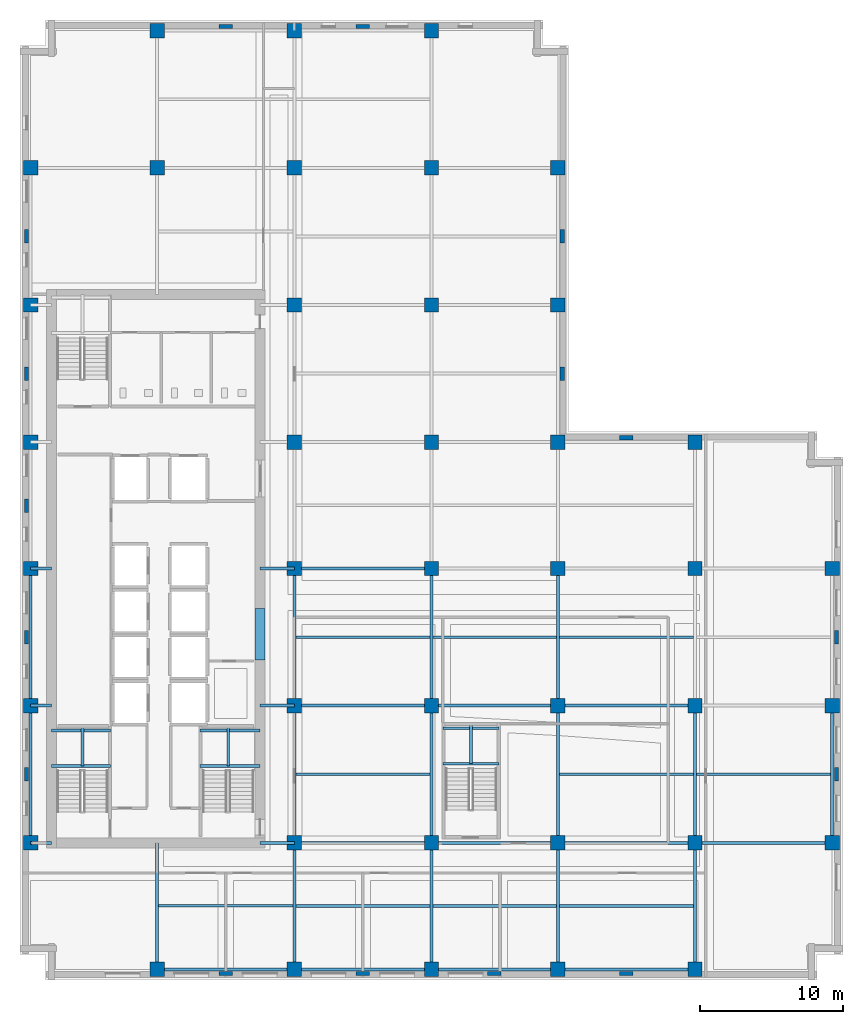
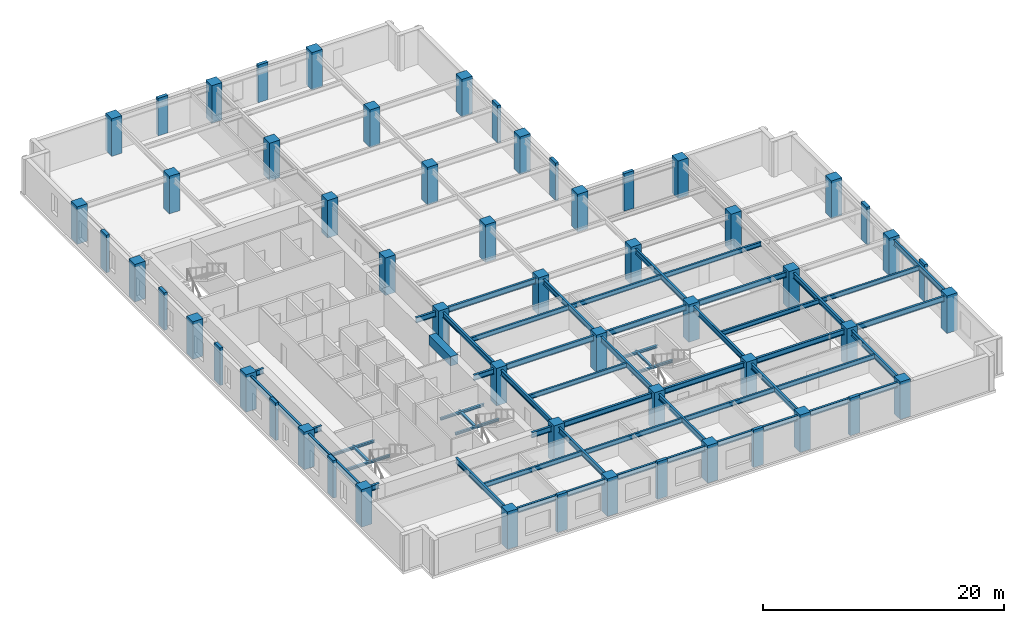
# One storey, part 1 of 11: 56 columns, 53 beams.
"""IFC4 building model written with IfcOpenShell, lengths in metres."""

from ifc_helpers import new_model, si_unit, direction, frame, origin, origin_2d, place, context, subcontext, project, spatial, rectangle, i_section, extrude, material, material_profile, profile_set, type_object, element, save


model = new_model("IFC4")

# Units and contexts
model_context = context("Model", 3, precision=1e-05, world=origin(), true_north=direction((0.0, 1.0)))
body_context = subcontext(model_context, "Body", "Model", "MODEL_VIEW")
ifc_project = project(units=[si_unit("LENGTHUNIT", "METRE"), si_unit("AREAUNIT", "SQUARE_METRE"), si_unit("VOLUMEUNIT", "CUBIC_METRE"), si_unit("PLANEANGLEUNIT", "RADIAN"), si_unit("MASSUNIT", "GRAM", prefix="KILO")], contexts=[model_context])

# Site, building, storey
site_placement = place(None, origin())
site = spatial("IfcSite", under=ifc_project, at=site_placement, CompositionType="ELEMENT")
building_placement = place(site_placement, origin())
building = spatial("IfcBuilding", under=site, at=building_placement, Name="Norrvale University Quadrangle", CompositionType="ELEMENT")
storey_placement = place(building_placement, frame((0.0, 0.0, 124.199951171875)))
storey = spatial("IfcBuildingStorey", under=building, at=storey_placement, Name="L31", CompositionType="ELEMENT", Elevation=124.199951171875)

# Columns
ifc_material_1 = material(Name="Red Manganese Brick Concrete C60/75", Category="concrete")
ifc_material_profile_1 = material_profile(ifc_material_1, rectangle(XDim=0.949951171875, YDim=0.300048828125, at=origin_2d()), Name="Red Manganese Brick Concrete C60/75")
ifc_profile_set_1 = profile_set([ifc_material_profile_1], Name="Red Manganese Brick Concrete C60/75")
column_type_1 = type_object("IfcColumnType", Name="Column Brick Pier 950x300", PredefinedType="PILASTER", material=ifc_profile_set_1)
for number, where, z_axis, x_axis, name in (
    (1, (0.449951171875, 14.39990234375, 0.0), (0.0, 0.0, 1.0), (0.0, 1.0, 0.0), "Exterior Brick Facade Pilaster L31-01"),
    (2, (0.449951171875, 24.0, 0.0), (0.0, 0.0, 1.0), (0.0, 1.0, 0.0), "Exterior Brick Facade Pilaster L31-02"),
    (3, (0.449951171875, 33.199951171875, 0.0), (0.0, 0.0, 1.0), (0.0, 1.0, 0.0), "Exterior Brick Facade Pilaster L31-03"),
    (4, (0.449951171875, 42.449951171875, 0.0), (0.0, 0.0, 1.0), (0.0, 1.0, 0.0), "Exterior Brick Facade Pilaster L31-04"),
    (5, (0.449951171875, 52.050048828125, 0.0), (0.0, 0.0, 1.0), (0.0, 1.0, 0.0), "Exterior Brick Facade Pilaster L31-05"),
    (6, (14.39990234375, 0.449951171875, 0.0), (0.0, 0.0, 1.0), (1.0, 0.0, 0.0), "Exterior Brick Facade Pilaster L31-06"),
    (7, (24.0, 0.449951171875, 0.0), (0.0, 0.0, 1.0), (1.0, 0.0, 0.0), "Exterior Brick Facade Pilaster L31-07"),
    (8, (33.199951171875, 0.449951171875, 0.0), (0.0, 0.0, 1.0), (1.0, 0.0, 0.0), "Exterior Brick Facade Pilaster L31-08"),
    (9, (42.449951171875, 0.449951171875, 0.0), (0.0, 0.0, 1.0), (1.0, 0.0, 0.0), "Exterior Brick Facade Pilaster L31-09"),
    (10, (57.14990234375, 14.39990234375, 0.0), (0.0, 0.0, 1.0), (0.0, 1.0, 0.0), "Exterior Brick Facade Pilaster L31-10"),
    (11, (57.14990234375, 24.0, 0.0), (0.0, 0.0, 1.0), (0.0, 1.0, 0.0), "Exterior Brick Facade Pilaster L31-11"),
    (12, (14.39990234375, 66.75, 0.0), (0.0, 0.0, 1.0), (1.0, 0.0, 0.0), "Exterior Brick Facade Pilaster L31-12"),
    (13, (24.0, 66.75, 0.0), (0.0, 0.0, 1.0), (1.0, 0.0, 0.0), "Exterior Brick Facade Pilaster L31-13"),
    (14, (37.949951171875, 42.449951171875, 0.0), (0.0, 0.0, 1.0), (0.0, 1.0, 0.0), "Exterior Brick Facade Pilaster L31-14"),
    (15, (37.949951171875, 52.050048828125, 0.0), (0.0, 0.0, 1.0), (0.0, 1.0, 0.0), "Exterior Brick Facade Pilaster L31-15"),
    (16, (42.449951171875, 37.949951171875, 0.0), (0.0, 0.0, 1.0), (1.0, 0.0, 0.0), "Exterior Brick Facade Pilaster L31-16"),
):
    element("IfcColumn", number, at=place(storey_placement, frame(where, z_axis=z_axis, x_axis=x_axis)), inside=storey, type_object=column_type_1, Name=name, PredefinedType="PILASTER", context=body_context, shape_type="SweptSolid", body=[
        extrude(rectangle(XDim=0.949951171875, YDim=0.300048828125, at=origin_2d()), origin(), (0.0, 0.0, 1.0), 3.800048828125),
    ])
ifc_material_2 = material(Name="Concrete C60/75", Category="concrete")
ifc_material_profile_2 = material_profile(ifc_material_2, rectangle(XDim=1.0, YDim=1.0, at=origin_2d()), Name="Concrete C60/75")
ifc_profile_set_2 = profile_set([ifc_material_profile_2], Name="Concrete C60/75")
column_type_2 = type_object("IfcColumnType", Name="Column Tower Z2 1000x1000", PredefinedType="COLUMN", material=ifc_profile_set_2)
for number, where, z_axis, x_axis, name in (
    (17, (0.75, 9.60009765625, 0.0), (0.0, 0.0, 1.0), (1.0, 0.0, 0.0), "Tower Column L31-T01"),
    (18, (0.75, 19.199951171875, 0.0), (0.0, 0.0, 1.0), (1.0, 0.0, 0.0), "Tower Column L31-T02"),
    (19, (0.75, 28.800048828125, 0.0), (0.0, 0.0, 1.0), (1.0, 0.0, 0.0), "Tower Column L31-T03"),
    (20, (0.75, 37.64990234375, 0.0), (0.0, 0.0, 1.0), (1.0, 0.0, 0.0), "Tower Column L31-T04"),
    (21, (0.75, 47.25, 0.0), (0.0, 0.0, 1.0), (1.0, 0.0, 0.0), "Tower Column L31-T05"),
    (22, (0.75, 56.85009765625, 0.0), (0.0, 0.0, 1.0), (1.0, 0.0, 0.0), "Tower Column L31-T06"),
    (23, (9.60009765625, 0.75, 0.0), (0.0, 0.0, 1.0), (1.0, 0.0, 0.0), "Tower Column L31-T07"),
    (24, (9.60009765625, 56.85009765625, 0.0), (0.0, 0.0, 1.0), (1.0, 0.0, 0.0), "Tower Column L31-T08"),
    (25, (9.60009765625, 66.449951171875, 0.0), (0.0, 0.0, 1.0), (1.0, 0.0, 0.0), "Tower Column L31-T09"),
    (26, (19.199951171875, 0.75, 0.0), (0.0, 0.0, 1.0), (1.0, 0.0, 0.0), "Tower Column L31-T10"),
    (27, (19.199951171875, 9.60009765625, 0.0), (0.0, 0.0, 1.0), (1.0, 0.0, 0.0), "Tower Column L31-T11"),
    (28, (19.199951171875, 19.199951171875, 0.0), (0.0, 0.0, 1.0), (1.0, 0.0, 0.0), "Tower Column L31-T12"),
    (29, (19.199951171875, 28.800048828125, 0.0), (0.0, 0.0, 1.0), (1.0, 0.0, 0.0), "Tower Column L31-T13"),
    (30, (19.199951171875, 37.64990234375, 0.0), (0.0, 0.0, 1.0), (1.0, 0.0, 0.0), "Tower Column L31-T14"),
    (31, (19.199951171875, 47.25, 0.0), (0.0, 0.0, 1.0), (1.0, 0.0, 0.0), "Tower Column L31-T15"),
    (32, (19.199951171875, 56.85009765625, 0.0), (0.0, 0.0, 1.0), (1.0, 0.0, 0.0), "Tower Column L31-T16"),
    (33, (19.199951171875, 66.449951171875, 0.0), (0.0, 0.0, 1.0), (1.0, 0.0, 0.0), "Tower Column L31-T17"),
    (34, (28.800048828125, 0.75, 0.0), (0.0, 0.0, 1.0), (1.0, 0.0, 0.0), "Tower Column L31-T18"),
    (35, (28.800048828125, 9.60009765625, 0.0), (0.0, 0.0, 1.0), (1.0, 0.0, 0.0), "Tower Column L31-T19"),
    (36, (28.800048828125, 19.199951171875, 0.0), (0.0, 0.0, 1.0), (1.0, 0.0, 0.0), "Tower Column L31-T20"),
    (37, (28.800048828125, 28.800048828125, 0.0), (0.0, 0.0, 1.0), (1.0, 0.0, 0.0), "Tower Column L31-T21"),
    (38, (28.800048828125, 37.64990234375, 0.0), (0.0, 0.0, 1.0), (1.0, 0.0, 0.0), "Tower Column L31-T22"),
    (39, (28.800048828125, 47.25, 0.0), (0.0, 0.0, 1.0), (1.0, 0.0, 0.0), "Tower Column L31-T23"),
    (40, (28.800048828125, 56.85009765625, 0.0), (0.0, 0.0, 1.0), (1.0, 0.0, 0.0), "Tower Column L31-T24"),
    (41, (28.800048828125, 66.449951171875, 0.0), (0.0, 0.0, 1.0), (1.0, 0.0, 0.0), "Tower Column L31-T25"),
    (42, (37.64990234375, 0.75, 0.0), (0.0, 0.0, 1.0), (1.0, 0.0, 0.0), "Tower Column L31-T26"),
    (43, (37.64990234375, 9.60009765625, 0.0), (0.0, 0.0, 1.0), (1.0, 0.0, 0.0), "Tower Column L31-T27"),
    (44, (37.64990234375, 19.199951171875, 0.0), (0.0, 0.0, 1.0), (1.0, 0.0, 0.0), "Tower Column L31-T28"),
    (45, (37.64990234375, 28.800048828125, 0.0), (0.0, 0.0, 1.0), (1.0, 0.0, 0.0), "Tower Column L31-T29"),
    (46, (37.64990234375, 37.64990234375, 0.0), (0.0, 0.0, 1.0), (1.0, 0.0, 0.0), "Tower Column L31-T30"),
    (47, (37.64990234375, 47.25, 0.0), (0.0, 0.0, 1.0), (1.0, 0.0, 0.0), "Tower Column L31-T31"),
    (48, (37.64990234375, 56.85009765625, 0.0), (0.0, 0.0, 1.0), (1.0, 0.0, 0.0), "Tower Column L31-T32"),
    (49, (47.25, 0.75, 0.0), (0.0, 0.0, 1.0), (1.0, 0.0, 0.0), "Tower Column L31-T33"),
    (50, (47.25, 9.60009765625, 0.0), (0.0, 0.0, 1.0), (1.0, 0.0, 0.0), "Tower Column L31-T34"),
    (51, (47.25, 19.199951171875, 0.0), (0.0, 0.0, 1.0), (1.0, 0.0, 0.0), "Tower Column L31-T35"),
    (52, (47.25, 28.800048828125, 0.0), (0.0, 0.0, 1.0), (1.0, 0.0, 0.0), "Tower Column L31-T36"),
    (53, (47.25, 37.64990234375, 0.0), (0.0, 0.0, 1.0), (1.0, 0.0, 0.0), "Tower Column L31-T37"),
    (54, (56.85009765625, 9.60009765625, 0.0), (0.0, 0.0, 1.0), (1.0, 0.0, 0.0), "Tower Column L31-T38"),
    (55, (56.85009765625, 19.199951171875, 0.0), (0.0, 0.0, 1.0), (1.0, 0.0, 0.0), "Tower Column L31-T39"),
    (56, (56.85009765625, 28.800048828125, 0.0), (0.0, 0.0, 1.0), (1.0, 0.0, 0.0), "Tower Column L31-T40"),
):
    element("IfcColumn", number, at=place(storey_placement, frame(where, z_axis=z_axis, x_axis=x_axis)), inside=storey, type_object=column_type_2, Name=name, PredefinedType="COLUMN", context=body_context, shape_type="SweptSolid", body=[
        extrude(rectangle(XDim=1.0, YDim=1.0, at=origin_2d()), origin(), (0.0, 0.0, 1.0), 3.800048828125),
    ])

# Beams
ifc_material_3 = material(Name="Concrete C80/95", Category="concrete")
ifc_material_profile_3 = material_profile(ifc_material_3, rectangle(XDim=0.699951171875, YDim=0.949951171875, at=origin_2d()), Name="Concrete C80/95")
ifc_profile_set_3 = profile_set([ifc_material_profile_3], Name="Concrete C80/95")
beam_type_1 = type_object("IfcBeamType", Name="Beam Core Link 700x950", PredefinedType="LINTEL", material=ifc_profile_set_3)
beam_1_placement = place(storey_placement, frame((16.800048828125, 22.39990234375, 3.06494140625), z_axis=(0.0, 1.0, 0.0), x_axis=(-1.0, 0.0, 0.0)))
element("IfcBeam", 57, at=beam_1_placement, inside=storey, type_object=beam_type_1, Name="Core Coupling Lintel Beam L31-1", PredefinedType="LINTEL", context=body_context, shape_type="SweptSolid", body=[
    extrude(rectangle(XDim=0.699951171875, YDim=0.949951171875, at=origin_2d()), origin(), (0.0, 0.0, 1.0), 3.60009765625),
])
ifc_material_4 = material(Name="Steel 350W", Category="steel")
ifc_material_profile_4 = material_profile(ifc_material_4, i_section(OverallWidth=0.18994140625, OverallDepth=0.45703125, WebThickness=0.009033203125, FlangeThickness=0.014404296875, FilletRadius=0.012939453125, at=origin_2d()), Name="Steel 350W")
ifc_profile_set_4 = profile_set([ifc_material_profile_4], Name="Steel 350W")
beam_type_2 = type_object("IfcBeamType", Name="Beam Floor W460x74", PredefinedType="JOIST", material=ifc_profile_set_4)
for number, where, z_axis, x_axis, name in (
    (58, (19.305908203125, 5.175048828125, 3.3115234375), (1.0, 0.0, 0.0), (0.0, 1.0, 0.0), "Beam Floor W460x74 BM-L31-J071"),
    (59, (19.305908203125, 14.39990234375, 3.3115234375), (1.0, 0.0, 0.0), (0.0, 1.0, 0.0), "Beam Floor W460x74 BM-L31-J072"),
    (60, (19.305908203125, 24.0, 3.3115234375), (1.0, 0.0, 0.0), (0.0, 1.0, 0.0), "Beam Floor W460x74 BM-L31-J073"),
):
    element("IfcBeam", number, at=place(storey_placement, frame(where, z_axis=z_axis, x_axis=x_axis)), inside=storey, type_object=beam_type_2, Name=name, PredefinedType="JOIST", context=body_context, shape_type="SweptSolid", body=[
        extrude(i_section(OverallWidth=0.18994140625, OverallDepth=0.45703125, WebThickness=0.009033203125, FlangeThickness=0.014404296875, FilletRadius=0.012939453125, at=origin_2d()), origin(), (0.0, 0.0, 1.0), 9.38818359375),
    ])
for number, where, z_axis, x_axis, name in (
    (61, (28.906005859375, 5.175048828125, 3.3115234375), (1.0, 0.0, 0.0), (0.0, 1.0, 0.0), "Beam Floor W460x74 BM-L31-J078"),
    (62, (28.906005859375, 24.0, 3.3115234375), (1.0, 0.0, 0.0), (0.0, 1.0, 0.0), "Beam Floor W460x74 BM-L31-J079"),
):
    element("IfcBeam", number, at=place(storey_placement, frame(where, z_axis=z_axis, x_axis=x_axis)), inside=storey, type_object=beam_type_2, Name=name, PredefinedType="JOIST", context=body_context, shape_type="SweptSolid", body=[
        extrude(i_section(OverallWidth=0.18994140625, OverallDepth=0.45703125, WebThickness=0.009033203125, FlangeThickness=0.014404296875, FilletRadius=0.012939453125, at=origin_2d()), origin(), (0.0, 0.0, 1.0), 8.637939453125),
    ])
for number, where, z_axis, x_axis, name in (
    (63, (37.756103515625, 5.175048828125, 3.3115234375), (1.0, 0.0, 0.0), (0.0, 1.0, 0.0), "Beam Floor W460x74 BM-L31-J083"),
    (64, (37.756103515625, 14.39990234375, 3.3115234375), (1.0, 0.0, 0.0), (0.0, 1.0, 0.0), "Beam Floor W460x74 BM-L31-J084"),
    (65, (37.756103515625, 24.0, 3.3115234375), (1.0, 0.0, 0.0), (0.0, 1.0, 0.0), "Beam Floor W460x74 BM-L31-J085"),
    (66, (47.35595703125, 14.39990234375, 3.3115234375), (1.0, 0.0, 0.0), (0.0, 1.0, 0.0), "Beam Floor W460x74 BM-L31-J087"),
    (67, (9.7060546875, 5.199951171875, 3.3115234375), (1.0, 0.0, 0.0), (0.0, 1.0, 0.0), "Beam Floor W460x74 BM-L31-JCS090"),
):
    element("IfcBeam", number, at=place(storey_placement, frame(where, z_axis=z_axis, x_axis=x_axis)), inside=storey, type_object=beam_type_2, Name=name, PredefinedType="JOIST", context=body_context, shape_type="SweptSolid", body=[
        extrude(i_section(OverallWidth=0.18994140625, OverallDepth=0.45703125, WebThickness=0.009033203125, FlangeThickness=0.014404296875, FilletRadius=0.012939453125, at=origin_2d()), origin(), (0.0, 0.0, 1.0), 9.387939453125),
    ])
ifc_material_profile_5 = material_profile(ifc_material_4, i_section(OverallWidth=0.2119140625, OverallDepth=0.5439453125, WebThickness=0.01318359375, FlangeThickness=0.021240234375, FilletRadius=0.013916015625, at=origin_2d()), Name="Steel 350W")
ifc_profile_set_5 = profile_set([ifc_material_profile_5], Name="Steel 350W")
beam_type_3 = type_object("IfcBeamType", Name="Beam Floor W530x123", PredefinedType="BEAM", material=ifc_profile_set_5)
beam_2_placement = place(storey_placement, frame((9.60009765625, 0.75, 3.26806640625), z_axis=(1.0, 0.0, 0.0), x_axis=(0.0, 1.0, 0.0)))
element("IfcBeam", 68, at=beam_2_placement, inside=storey, type_object=beam_type_3, Name="Beam Floor W530x123 BM-L31-GX001", PredefinedType="BEAM", context=body_context, shape_type="SweptSolid", body=[
    extrude(i_section(OverallWidth=0.2119140625, OverallDepth=0.5439453125, WebThickness=0.01318359375, FlangeThickness=0.021240234375, FilletRadius=0.013916015625, at=origin_2d()), origin(), (0.0, 0.0, 1.0), 9.599853515625),
])
beam_3_placement = place(storey_placement, frame((19.199951171875, 0.75, 3.26806640625), z_axis=(1.0, 0.0, 0.0), x_axis=(0.0, 1.0, 0.0)))
element("IfcBeam", 69, at=beam_3_placement, inside=storey, type_object=beam_type_3, Name="Beam Floor W530x123 BM-L31-GX002", PredefinedType="BEAM", context=body_context, shape_type="SweptSolid", body=[
    extrude(i_section(OverallWidth=0.2119140625, OverallDepth=0.5439453125, WebThickness=0.01318359375, FlangeThickness=0.021240234375, FilletRadius=0.013916015625, at=origin_2d()), origin(), (0.0, 0.0, 1.0), 9.60009765625),
])
beam_4_placement = place(storey_placement, frame((28.800048828125, 0.75, 3.26806640625), z_axis=(1.0, 0.0, 0.0), x_axis=(0.0, 1.0, 0.0)))
element("IfcBeam", 70, at=beam_4_placement, inside=storey, type_object=beam_type_3, Name="Beam Floor W530x123 BM-L31-GX003", PredefinedType="BEAM", context=body_context, shape_type="SweptSolid", body=[
    extrude(i_section(OverallWidth=0.2119140625, OverallDepth=0.5439453125, WebThickness=0.01318359375, FlangeThickness=0.021240234375, FilletRadius=0.013916015625, at=origin_2d()), origin(), (0.0, 0.0, 1.0), 8.849853515625),
])
for number, where, z_axis, x_axis, name in (
    (71, (37.64990234375, 0.75, 3.26806640625), (1.0, 0.0, 0.0), (0.0, 1.0, 0.0), "Beam Floor W530x123 BM-L31-GX004"),
    (72, (19.199951171875, 9.60009765625, 3.26806640625), (1.0, 0.0, 0.0), (0.0, 1.0, 0.0), "Beam Floor W530x123 BM-L31-GX005"),
):
    element("IfcBeam", number, at=place(storey_placement, frame(where, z_axis=z_axis, x_axis=x_axis)), inside=storey, type_object=beam_type_3, Name=name, PredefinedType="BEAM", context=body_context, shape_type="SweptSolid", body=[
        extrude(i_section(OverallWidth=0.2119140625, OverallDepth=0.5439453125, WebThickness=0.01318359375, FlangeThickness=0.021240234375, FilletRadius=0.013916015625, at=origin_2d()), origin(), (0.0, 0.0, 1.0), 9.60009765625),
    ])
beam_5_placement = place(storey_placement, frame((28.800048828125, 9.60009765625, 3.26806640625), z_axis=(1.0, 0.0, 0.0), x_axis=(0.0, 1.0, 0.0)))
element("IfcBeam", 73, at=beam_5_placement, inside=storey, type_object=beam_type_3, Name="Beam Floor W530x123 BM-L31-GX006", PredefinedType="BEAM", context=body_context, shape_type="SweptSolid", body=[
    extrude(i_section(OverallWidth=0.2119140625, OverallDepth=0.5439453125, WebThickness=0.01318359375, FlangeThickness=0.021240234375, FilletRadius=0.013916015625, at=origin_2d()), origin(), (0.0, 0.0, 1.0), 8.849853515625),
])
for number, where, z_axis, x_axis, name in (
    (74, (37.64990234375, 9.60009765625, 3.26806640625), (1.0, 0.0, 0.0), (0.0, 1.0, 0.0), "Beam Floor W530x123 BM-L31-GX007"),
    (75, (47.25, 9.60009765625, 3.26806640625), (1.0, 0.0, 0.0), (0.0, 1.0, 0.0), "Beam Floor W530x123 BM-L31-GX008"),
    (76, (19.199951171875, 19.199951171875, 3.26806640625), (1.0, 0.0, 0.0), (0.0, 1.0, 0.0), "Beam Floor W530x123 BM-L31-GX009"),
):
    element("IfcBeam", number, at=place(storey_placement, frame(where, z_axis=z_axis, x_axis=x_axis)), inside=storey, type_object=beam_type_3, Name=name, PredefinedType="BEAM", context=body_context, shape_type="SweptSolid", body=[
        extrude(i_section(OverallWidth=0.2119140625, OverallDepth=0.5439453125, WebThickness=0.01318359375, FlangeThickness=0.021240234375, FilletRadius=0.013916015625, at=origin_2d()), origin(), (0.0, 0.0, 1.0), 9.60009765625),
    ])
beam_6_placement = place(storey_placement, frame((28.800048828125, 19.199951171875, 3.26806640625), z_axis=(1.0, 0.0, 0.0), x_axis=(0.0, 1.0, 0.0)))
element("IfcBeam", 77, at=beam_6_placement, inside=storey, type_object=beam_type_3, Name="Beam Floor W530x123 BM-L31-GX010", PredefinedType="BEAM", context=body_context, shape_type="SweptSolid", body=[
    extrude(i_section(OverallWidth=0.2119140625, OverallDepth=0.5439453125, WebThickness=0.01318359375, FlangeThickness=0.021240234375, FilletRadius=0.013916015625, at=origin_2d()), origin(), (0.0, 0.0, 1.0), 8.849853515625),
])
for number, where, z_axis, x_axis, name in (
    (78, (37.64990234375, 19.199951171875, 3.26806640625), (1.0, 0.0, 0.0), (0.0, 1.0, 0.0), "Beam Floor W530x123 BM-L31-GX011"),
    (79, (19.199951171875, 28.800048828125, 3.26806640625), (1.0, 0.0, 0.0), (0.0, 1.0, 0.0), "Beam Floor W530x123 BM-L31-GX013"),
):
    element("IfcBeam", number, at=place(storey_placement, frame(where, z_axis=z_axis, x_axis=x_axis)), inside=storey, type_object=beam_type_3, Name=name, PredefinedType="BEAM", context=body_context, shape_type="SweptSolid", body=[
        extrude(i_section(OverallWidth=0.2119140625, OverallDepth=0.5439453125, WebThickness=0.01318359375, FlangeThickness=0.021240234375, FilletRadius=0.013916015625, at=origin_2d()), origin(), (0.0, 0.0, 1.0), 9.60009765625),
    ])
beam_7_placement = place(storey_placement, frame((0.75, 9.60009765625, 3.26806640625), z_axis=(0.0, 1.0, 0.0), x_axis=(-1.0, 0.0, 0.0)))
element("IfcBeam", 80, at=beam_7_placement, inside=storey, type_object=beam_type_3, Name="Beam Floor W530x123 BM-L31-GY028", PredefinedType="BEAM", context=body_context, shape_type="SweptSolid", body=[
    extrude(i_section(OverallWidth=0.2119140625, OverallDepth=0.5439453125, WebThickness=0.01318359375, FlangeThickness=0.021240234375, FilletRadius=0.013916015625, at=origin_2d()), origin(), (0.0, 0.0, 1.0), 9.599853515625),
])
beam_8_placement = place(storey_placement, frame((0.75, 19.199951171875, 3.26806640625), z_axis=(0.0, 1.0, 0.0), x_axis=(-1.0, 0.0, 0.0)))
element("IfcBeam", 81, at=beam_8_placement, inside=storey, type_object=beam_type_3, Name="Beam Floor W530x123 BM-L31-GY029", PredefinedType="BEAM", context=body_context, shape_type="SweptSolid", body=[
    extrude(i_section(OverallWidth=0.2119140625, OverallDepth=0.5439453125, WebThickness=0.01318359375, FlangeThickness=0.021240234375, FilletRadius=0.013916015625, at=origin_2d()), origin(), (0.0, 0.0, 1.0), 9.60009765625),
])
beam_9_placement = place(storey_placement, frame((19.199951171875, 0.75, 3.26806640625), z_axis=(0.0, 1.0, 0.0), x_axis=(-1.0, 0.0, 0.0)))
element("IfcBeam", 82, at=beam_9_placement, inside=storey, type_object=beam_type_3, Name="Beam Floor W530x123 BM-L31-GY034", PredefinedType="BEAM", context=body_context, shape_type="SweptSolid", body=[
    extrude(i_section(OverallWidth=0.2119140625, OverallDepth=0.5439453125, WebThickness=0.01318359375, FlangeThickness=0.021240234375, FilletRadius=0.013916015625, at=origin_2d()), origin(), (0.0, 0.0, 1.0), 8.85009765625),
])
beam_10_placement = place(storey_placement, frame((19.199951171875, 9.60009765625, 3.26806640625), z_axis=(0.0, 1.0, 0.0), x_axis=(-1.0, 0.0, 0.0)))
element("IfcBeam", 83, at=beam_10_placement, inside=storey, type_object=beam_type_3, Name="Beam Floor W530x123 BM-L31-GY035", PredefinedType="BEAM", context=body_context, shape_type="SweptSolid", body=[
    extrude(i_section(OverallWidth=0.2119140625, OverallDepth=0.5439453125, WebThickness=0.01318359375, FlangeThickness=0.021240234375, FilletRadius=0.013916015625, at=origin_2d()), origin(), (0.0, 0.0, 1.0), 9.599853515625),
])
beam_11_placement = place(storey_placement, frame((19.199951171875, 19.199951171875, 3.26806640625), z_axis=(0.0, 1.0, 0.0), x_axis=(-1.0, 0.0, 0.0)))
element("IfcBeam", 84, at=beam_11_placement, inside=storey, type_object=beam_type_3, Name="Beam Floor W530x123 BM-L31-GY036", PredefinedType="BEAM", context=body_context, shape_type="SweptSolid", body=[
    extrude(i_section(OverallWidth=0.2119140625, OverallDepth=0.5439453125, WebThickness=0.01318359375, FlangeThickness=0.021240234375, FilletRadius=0.013916015625, at=origin_2d()), origin(), (0.0, 0.0, 1.0), 9.60009765625),
])
beam_12_placement = place(storey_placement, frame((28.800048828125, 0.75, 3.26806640625), z_axis=(0.0, 1.0, 0.0), x_axis=(-1.0, 0.0, 0.0)))
element("IfcBeam", 85, at=beam_12_placement, inside=storey, type_object=beam_type_3, Name="Beam Floor W530x123 BM-L31-GY041", PredefinedType="BEAM", context=body_context, shape_type="SweptSolid", body=[
    extrude(i_section(OverallWidth=0.2119140625, OverallDepth=0.5439453125, WebThickness=0.01318359375, FlangeThickness=0.021240234375, FilletRadius=0.013916015625, at=origin_2d()), origin(), (0.0, 0.0, 1.0), 8.85009765625),
])
beam_13_placement = place(storey_placement, frame((28.800048828125, 9.60009765625, 3.26806640625), z_axis=(0.0, 1.0, 0.0), x_axis=(-1.0, 0.0, 0.0)))
element("IfcBeam", 86, at=beam_13_placement, inside=storey, type_object=beam_type_3, Name="Beam Floor W530x123 BM-L31-GY042", PredefinedType="BEAM", context=body_context, shape_type="SweptSolid", body=[
    extrude(i_section(OverallWidth=0.2119140625, OverallDepth=0.5439453125, WebThickness=0.01318359375, FlangeThickness=0.021240234375, FilletRadius=0.013916015625, at=origin_2d()), origin(), (0.0, 0.0, 1.0), 9.599853515625),
])
beam_14_placement = place(storey_placement, frame((28.800048828125, 19.199951171875, 3.26806640625), z_axis=(0.0, 1.0, 0.0), x_axis=(-1.0, 0.0, 0.0)))
element("IfcBeam", 87, at=beam_14_placement, inside=storey, type_object=beam_type_3, Name="Beam Floor W530x123 BM-L31-GY043", PredefinedType="BEAM", context=body_context, shape_type="SweptSolid", body=[
    extrude(i_section(OverallWidth=0.2119140625, OverallDepth=0.5439453125, WebThickness=0.01318359375, FlangeThickness=0.021240234375, FilletRadius=0.013916015625, at=origin_2d()), origin(), (0.0, 0.0, 1.0), 9.60009765625),
])
beam_15_placement = place(storey_placement, frame((37.64990234375, 0.75, 3.26806640625), z_axis=(0.0, 1.0, 0.0), x_axis=(-1.0, 0.0, 0.0)))
element("IfcBeam", 88, at=beam_15_placement, inside=storey, type_object=beam_type_3, Name="Beam Floor W530x123 BM-L31-GY048", PredefinedType="BEAM", context=body_context, shape_type="SweptSolid", body=[
    extrude(i_section(OverallWidth=0.2119140625, OverallDepth=0.5439453125, WebThickness=0.01318359375, FlangeThickness=0.021240234375, FilletRadius=0.013916015625, at=origin_2d()), origin(), (0.0, 0.0, 1.0), 8.85009765625),
])
beam_16_placement = place(storey_placement, frame((37.64990234375, 9.60009765625, 3.26806640625), z_axis=(0.0, 1.0, 0.0), x_axis=(-1.0, 0.0, 0.0)))
element("IfcBeam", 89, at=beam_16_placement, inside=storey, type_object=beam_type_3, Name="Beam Floor W530x123 BM-L31-GY049", PredefinedType="BEAM", context=body_context, shape_type="SweptSolid", body=[
    extrude(i_section(OverallWidth=0.2119140625, OverallDepth=0.5439453125, WebThickness=0.01318359375, FlangeThickness=0.021240234375, FilletRadius=0.013916015625, at=origin_2d()), origin(), (0.0, 0.0, 1.0), 9.599853515625),
])
beam_17_placement = place(storey_placement, frame((37.64990234375, 19.199951171875, 3.26806640625), z_axis=(0.0, 1.0, 0.0), x_axis=(-1.0, 0.0, 0.0)))
element("IfcBeam", 90, at=beam_17_placement, inside=storey, type_object=beam_type_3, Name="Beam Floor W530x123 BM-L31-GY050", PredefinedType="BEAM", context=body_context, shape_type="SweptSolid", body=[
    extrude(i_section(OverallWidth=0.2119140625, OverallDepth=0.5439453125, WebThickness=0.01318359375, FlangeThickness=0.021240234375, FilletRadius=0.013916015625, at=origin_2d()), origin(), (0.0, 0.0, 1.0), 9.60009765625),
])
beam_18_placement = place(storey_placement, frame((47.25, 0.75, 3.26806640625), z_axis=(0.0, 1.0, 0.0), x_axis=(-1.0, 0.0, 0.0)))
element("IfcBeam", 91, at=beam_18_placement, inside=storey, type_object=beam_type_3, Name="Beam Floor W530x123 BM-L31-GY054", PredefinedType="BEAM", context=body_context, shape_type="SweptSolid", body=[
    extrude(i_section(OverallWidth=0.2119140625, OverallDepth=0.5439453125, WebThickness=0.01318359375, FlangeThickness=0.021240234375, FilletRadius=0.013916015625, at=origin_2d()), origin(), (0.0, 0.0, 1.0), 8.85009765625),
])
for number, where, z_axis, x_axis, name in (
    (92, (47.25, 9.60009765625, 3.26806640625), (0.0, 1.0, 0.0), (-1.0, 0.0, 0.0), "Beam Floor W530x123 BM-L31-GY055"),
    (93, (56.85009765625, 9.60009765625, 3.26806640625), (0.0, 1.0, 0.0), (-1.0, 0.0, 0.0), "Beam Floor W530x123 BM-L31-GY058"),
):
    element("IfcBeam", number, at=place(storey_placement, frame(where, z_axis=z_axis, x_axis=x_axis)), inside=storey, type_object=beam_type_3, Name=name, PredefinedType="BEAM", context=body_context, shape_type="SweptSolid", body=[
        extrude(i_section(OverallWidth=0.2119140625, OverallDepth=0.5439453125, WebThickness=0.01318359375, FlangeThickness=0.021240234375, FilletRadius=0.013916015625, at=origin_2d()), origin(), (0.0, 0.0, 1.0), 9.599853515625),
    ])
beam_19_placement = place(storey_placement, frame((0.75, 9.60009765625, 3.26806640625), z_axis=(1.0, 0.0, 0.0), x_axis=(0.0, 1.0, 0.0)))
element("IfcBeam", 94, at=beam_19_placement, inside=storey, type_object=beam_type_3, Name="Beam Floor W530x123 BM-L31-GCW060", PredefinedType="BEAM", context=body_context, shape_type="SweptSolid", body=[
    extrude(i_section(OverallWidth=0.2119140625, OverallDepth=0.5439453125, WebThickness=0.01318359375, FlangeThickness=0.021240234375, FilletRadius=0.013916015625, at=origin_2d()), origin(), (0.0, 0.0, 1.0), 1.449951171875),
])
beam_20_placement = place(storey_placement, frame((16.800048828125, 9.60009765625, 3.26806640625), z_axis=(1.0, 0.0, 0.0), x_axis=(0.0, 1.0, 0.0)))
element("IfcBeam", 95, at=beam_20_placement, inside=storey, type_object=beam_type_3, Name="Beam Floor W530x123 BM-L31-GCE061", PredefinedType="BEAM", context=body_context, shape_type="SweptSolid", body=[
    extrude(i_section(OverallWidth=0.2119140625, OverallDepth=0.5439453125, WebThickness=0.01318359375, FlangeThickness=0.021240234375, FilletRadius=0.013916015625, at=origin_2d()), origin(), (0.0, 0.0, 1.0), 2.39990234375),
])
beam_21_placement = place(storey_placement, frame((0.75, 19.199951171875, 3.26806640625), z_axis=(1.0, 0.0, 0.0), x_axis=(0.0, 1.0, 0.0)))
element("IfcBeam", 96, at=beam_21_placement, inside=storey, type_object=beam_type_3, Name="Beam Floor W530x123 BM-L31-GCW062", PredefinedType="BEAM", context=body_context, shape_type="SweptSolid", body=[
    extrude(i_section(OverallWidth=0.2119140625, OverallDepth=0.5439453125, WebThickness=0.01318359375, FlangeThickness=0.021240234375, FilletRadius=0.013916015625, at=origin_2d()), origin(), (0.0, 0.0, 1.0), 1.449951171875),
])
beam_22_placement = place(storey_placement, frame((16.800048828125, 19.199951171875, 3.26806640625), z_axis=(1.0, 0.0, 0.0), x_axis=(0.0, 1.0, 0.0)))
element("IfcBeam", 97, at=beam_22_placement, inside=storey, type_object=beam_type_3, Name="Beam Floor W530x123 BM-L31-GCE063", PredefinedType="BEAM", context=body_context, shape_type="SweptSolid", body=[
    extrude(i_section(OverallWidth=0.2119140625, OverallDepth=0.5439453125, WebThickness=0.01318359375, FlangeThickness=0.021240234375, FilletRadius=0.013916015625, at=origin_2d()), origin(), (0.0, 0.0, 1.0), 2.39990234375),
])
beam_23_placement = place(storey_placement, frame((0.75, 28.800048828125, 3.26806640625), z_axis=(1.0, 0.0, 0.0), x_axis=(0.0, 1.0, 0.0)))
element("IfcBeam", 98, at=beam_23_placement, inside=storey, type_object=beam_type_3, Name="Beam Floor W530x123 BM-L31-GCW064", PredefinedType="BEAM", context=body_context, shape_type="SweptSolid", body=[
    extrude(i_section(OverallWidth=0.2119140625, OverallDepth=0.5439453125, WebThickness=0.01318359375, FlangeThickness=0.021240234375, FilletRadius=0.013916015625, at=origin_2d()), origin(), (0.0, 0.0, 1.0), 1.449951171875),
])
beam_24_placement = place(storey_placement, frame((16.800048828125, 28.800048828125, 3.26806640625), z_axis=(1.0, 0.0, 0.0), x_axis=(0.0, 1.0, 0.0)))
element("IfcBeam", 99, at=beam_24_placement, inside=storey, type_object=beam_type_3, Name="Beam Floor W530x123 BM-L31-GCE065", PredefinedType="BEAM", context=body_context, shape_type="SweptSolid", body=[
    extrude(i_section(OverallWidth=0.2119140625, OverallDepth=0.5439453125, WebThickness=0.01318359375, FlangeThickness=0.021240234375, FilletRadius=0.013916015625, at=origin_2d()), origin(), (0.0, 0.0, 1.0), 2.39990234375),
])
beam_25_placement = place(storey_placement, frame((9.60009765625, 0.75, 3.26806640625), z_axis=(0.0, 1.0, 0.0), x_axis=(-1.0, 0.0, 0.0)))
element("IfcBeam", 100, at=beam_25_placement, inside=storey, type_object=beam_type_3, Name="Beam Floor W530x123 BM-L31-GCS089", PredefinedType="BEAM", context=body_context, shape_type="SweptSolid", body=[
    extrude(i_section(OverallWidth=0.2119140625, OverallDepth=0.5439453125, WebThickness=0.01318359375, FlangeThickness=0.021240234375, FilletRadius=0.013916015625, at=origin_2d()), origin(), (0.0, 0.0, 1.0), 8.85009765625),
])
ifc_material_profile_6 = material_profile(ifc_material_4, i_section(OverallWidth=0.201904296875, OverallDepth=0.2470703125, WebThickness=0.00732421875, FlangeThickness=0.010986328125, FilletRadius=0.011962890625, at=origin_2d()), Name="Steel 350W")
ifc_profile_set_6 = profile_set([ifc_material_profile_6], Name="Steel 350W")
beam_type_4 = type_object("IfcBeamType", Name="Beam Stair W250x49", PredefinedType="BEAM", material=ifc_profile_set_6)
for number, where, z_axis, x_axis, name in (
    (101, (2.199951171875, 14.989990234375, 1.57666015625), (1.0, 0.0, 0.0), (0.0, 1.0, 0.0), "Stair Mid-Landing Front Beam ST-01 L31"),
    (102, (2.199951171875, 17.469970703125, 1.57666015625), (1.0, 0.0, 0.0), (0.0, 1.0, 0.0), "Stair Mid-Landing Rear Beam ST-01 L31"),
):
    element("IfcBeam", number, at=place(storey_placement, frame(where, z_axis=z_axis, x_axis=x_axis)), inside=storey, type_object=beam_type_4, Name=name, PredefinedType="BEAM", context=body_context, shape_type="SweptSolid", body=[
        extrude(i_section(OverallWidth=0.201904296875, OverallDepth=0.2470703125, WebThickness=0.00732421875, FlangeThickness=0.010986328125, FilletRadius=0.011962890625, at=origin_2d()), origin(), (0.0, 0.0, 1.0), 4.14013671875),
    ])
for number, where, z_axis, x_axis, name in (
    (103, (12.610107421875, 14.989990234375, 1.57666015625), (1.0, 0.0, 0.0), (0.0, 1.0, 0.0), "Stair Mid-Landing Front Beam ST-03 L31"),
    (104, (12.610107421875, 17.469970703125, 1.57666015625), (1.0, 0.0, 0.0), (0.0, 1.0, 0.0), "Stair Mid-Landing Rear Beam ST-03 L31"),
):
    element("IfcBeam", number, at=place(storey_placement, frame(where, z_axis=z_axis, x_axis=x_axis)), inside=storey, type_object=beam_type_4, Name=name, PredefinedType="BEAM", context=body_context, shape_type="SweptSolid", body=[
        extrude(i_section(OverallWidth=0.201904296875, OverallDepth=0.2470703125, WebThickness=0.00732421875, FlangeThickness=0.010986328125, FilletRadius=0.011962890625, at=origin_2d()), origin(), (0.0, 0.0, 1.0), 4.18994140625),
    ])
for number, where, z_axis, x_axis, name in (
    (105, (29.610107421875, 15.139892578125, 1.57666015625), (1.0, 0.0, 0.0), (0.0, 1.0, 0.0), "Stair Mid-Landing Front Beam ST-04 L31"),
    (106, (29.610107421875, 17.6201171875, 1.57666015625), (1.0, 0.0, 0.0), (0.0, 1.0, 0.0), "Stair Mid-Landing Rear Beam ST-04 L31"),
):
    element("IfcBeam", number, at=place(storey_placement, frame(where, z_axis=z_axis, x_axis=x_axis)), inside=storey, type_object=beam_type_4, Name=name, PredefinedType="BEAM", context=body_context, shape_type="SweptSolid", body=[
        extrude(i_section(OverallWidth=0.201904296875, OverallDepth=0.2470703125, WebThickness=0.00732421875, FlangeThickness=0.010986328125, FilletRadius=0.011962890625, at=origin_2d()), origin(), (0.0, 0.0, 1.0), 3.929931640625),
    ])
ifc_material_profile_7 = material_profile(ifc_material_4, i_section(OverallWidth=0.202880859375, OverallDepth=0.202880859375, WebThickness=0.007080078125, FlangeThickness=0.010986328125, FilletRadius=0.010009765625, at=origin_2d()), Name="Steel 350W")
ifc_profile_set_7 = profile_set([ifc_material_profile_7], Name="Steel 350W")
beam_type_5 = type_object("IfcBeamType", Name="Beam Trim W200x46", PredefinedType="BEAM", material=ifc_profile_set_7)
for number, where, z_axis, x_axis, name in (
    (107, (4.375, 14.989990234375, 1.5986328125), (0.0, 1.0, 0.0), (-1.0, 0.0, 0.0), "Stair Mid-Landing Cross Beam ST-01 L31"),
    (108, (14.574951171875, 14.989990234375, 1.5986328125), (0.0, 1.0, 0.0), (-1.0, 0.0, 0.0), "Stair Mid-Landing Cross Beam ST-03 L31"),
    (109, (31.574951171875, 15.139892578125, 1.5986328125), (0.0, 1.0, 0.0), (-1.0, 0.0, 0.0), "Stair Mid-Landing Cross Beam ST-04 L31"),
):
    element("IfcBeam", number, at=place(storey_placement, frame(where, z_axis=z_axis, x_axis=x_axis)), inside=storey, type_object=beam_type_5, Name=name, PredefinedType="BEAM", context=body_context, shape_type="SweptSolid", body=[
        extrude(i_section(OverallWidth=0.202880859375, OverallDepth=0.202880859375, WebThickness=0.007080078125, FlangeThickness=0.010986328125, FilletRadius=0.010009765625, at=origin_2d()), origin(), (0.0, 0.0, 1.0), 2.800048828125),
    ])

save(model, "model.ifc")
